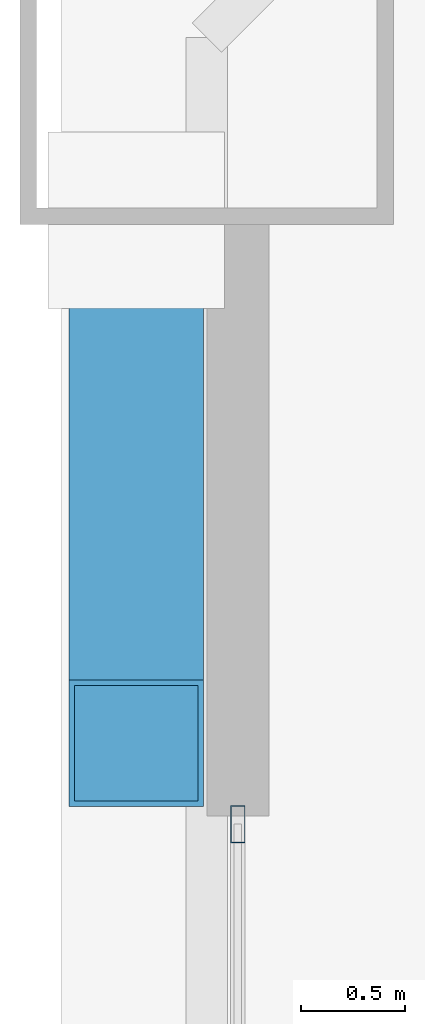
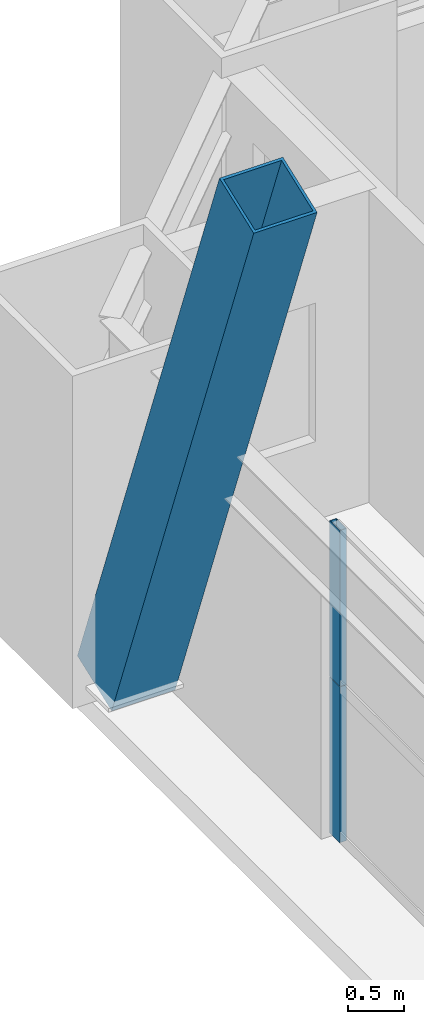
# One storey, part 24 of 43: 3 members, 1 element without a shape of its own.
"""IFC4 building model written with IfcOpenShell, lengths in metres."""

from ifc_helpers import new_model, si_unit, direction, frame, origin, origin_2d, place, context, subcontext, project, spatial, hollow_rectangle, extrude, source, transform, mapped, material, layer, layer_set, material_profile, profile_set, type_object, element, aggregate, save


model = new_model("IFC4")

# Units and contexts
model_context = context("Model", 3, precision=1e-05, world=origin(), true_north=direction((0.0, 1.0)))
body_context = subcontext(model_context, "Body", "Model", "MODEL_VIEW")
ifc_project = project(units=[si_unit("LENGTHUNIT", "METRE"), si_unit("AREAUNIT", "SQUARE_METRE"), si_unit("VOLUMEUNIT", "CUBIC_METRE"), si_unit("PLANEANGLEUNIT", "RADIAN"), si_unit("MASSUNIT", "GRAM", prefix="KILO"), si_unit("THERMODYNAMICTEMPERATUREUNIT", "KELVIN"), si_unit("POWERUNIT", "WATT")], contexts=[model_context])

# Site, building, storey
site_placement = place(None, origin())
site = spatial("IfcSite", under=ifc_project, at=site_placement, CompositionType="ELEMENT")
building_placement = place(site_placement, origin())
building = spatial("IfcBuilding", under=site, at=building_placement, Name="Yuzanri Waterfront Tower", CompositionType="ELEMENT")
storey_placement = place(building_placement, frame((0.0, 0.0, 60.39990234375)))
storey = spatial("IfcBuildingStorey", under=building, at=storey_placement, Name="L15", CompositionType="ELEMENT", Elevation=60.39990234375)

# Member
ifc_material_1 = material(Name="Steel Q420GJC", Category="steel")
ifc_material_profile_1 = material_profile(ifc_material_1, hollow_rectangle(XDim=0.64990234375, YDim=0.64990234375, WallThickness=0.028076171875, at=origin_2d()), Name="RHS 650x650x28")
ifc_profile_set_1 = profile_set([ifc_material_profile_1], Name="Steel Q420GJC")
member_type_1 = type_object("IfcMemberType", Name="Mega Brace Lower Q420GJC RHS 650x650x28", PredefinedType="BRACE", material=ifc_profile_set_1)
shared_shape_1 = source(origin(), body_context, "Body", "SweptSolid", [
    extrude(hollow_rectangle(XDim=0.64990234375, YDim=0.64990234375, WallThickness=0.028076171875, at=origin_2d()), origin(), (0.0, 0.0, 1.0), 7.158203125),
])
member_1_placement = place(storey_placement, frame((11.56005859375, 46.419921875, 0.18017578125), z_axis=(0.0, -0.352046480343, 0.935982518896), x_axis=(1.0, 0.0, 0.0)))
element("IfcMember", 1, at=member_1_placement, inside=storey, type_object=member_type_1, Name="L15-L16 Perimeter Mega-Brace W-R", PredefinedType="BRACE", context=body_context, shape_type="MappedRepresentation", body=[
    mapped(shared_shape_1, transform((0.0, 0.0, 0.0), scale=1.0)),
])

# Curtain wall, members
ifc_material_2 = material(Name="Anodized Architectural Bronze", Category="metal")
ifc_layer = layer(ifc_material_2, 0.159912109375)
ifc_layer_set = layer_set([ifc_layer], Name="Anodized Architectural Bronze")
curtain_wall_type = type_object("IfcCurtainWallType", Name="Anodized Bronze Hotel Lower-Tier Recessed Unitized Curtain Wall 8100", PredefinedType="NOTDEFINED", material=ifc_layer_set)
curtain_wall_placement = place(storey_placement, origin())
curtain_wall = element("IfcCurtainWall", 2, at=curtain_wall_placement, inside=storey, type_object=curtain_wall_type, Name="L15 Curtain Wall CW-L15-WR", PredefinedType="NOTDEFINED")
ifc_material_3 = material(Name="Anodized Architectural Bronze", Category="metal")
ifc_material_profile_2 = material_profile(ifc_material_3, hollow_rectangle(XDim=0.070068359375, YDim=0.179931640625, WallThickness=0.00390625, at=origin_2d()), Name="CWM 70x180")
ifc_profile_set_2 = profile_set([ifc_material_profile_2], Name="Anodized Architectural Bronze")
member_type_2 = type_object("IfcMemberType", Name="Anodized Bronze Standard Curtain-Wall Mullion 70x180", PredefinedType="MULLION", material=ifc_profile_set_2)
shared_shape_2 = source(origin(), body_context, "Body", "SweptSolid", [
    extrude(hollow_rectangle(XDim=0.070068359375, YDim=0.179931640625, WallThickness=0.00390625, at=origin_2d()), origin(), (0.0, 0.0, 1.0), 1.68798828125),
])
member_2_placement = place(storey_placement, frame((12.050048828125, 43.510009765625, 0.0), z_axis=(0.0, 0.0, 1.0), x_axis=(1.0, 0.0, 0.0)))
member_2 = element("IfcMember", 3, at=member_2_placement, type_object=member_type_2, Name="CW-L15-WR Lower Mullion 02", PredefinedType="MULLION", context=body_context, shape_type="MappedRepresentation", body=[
    mapped(shared_shape_2, transform((0.0, 0.0, 0.0), scale=1.0)),
])
member_3_placement = place(storey_placement, frame((12.050048828125, 43.510009765625, 1.692138671875), z_axis=(0.0, 0.0, 1.0), x_axis=(1.0, 0.0, 0.0)))
member_3 = element("IfcMember", 4, at=member_3_placement, type_object=member_type_2, Name="CW-L15-WR Upper Mullion 02", PredefinedType="MULLION", context=body_context, shape_type="MappedRepresentation", body=[
    mapped(shared_shape_2, transform((0.0, 0.0, 0.0), scale=1.0)),
])
aggregate(curtain_wall, [member_2, member_3])

save(model, "model.ifc")
